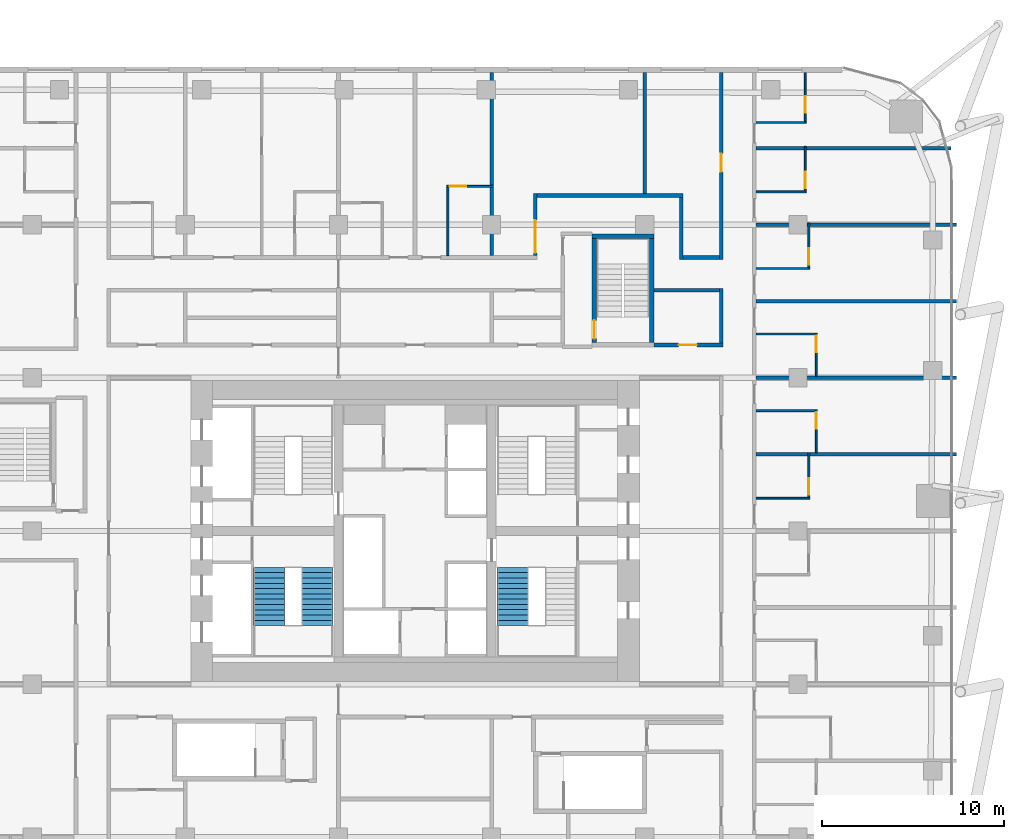
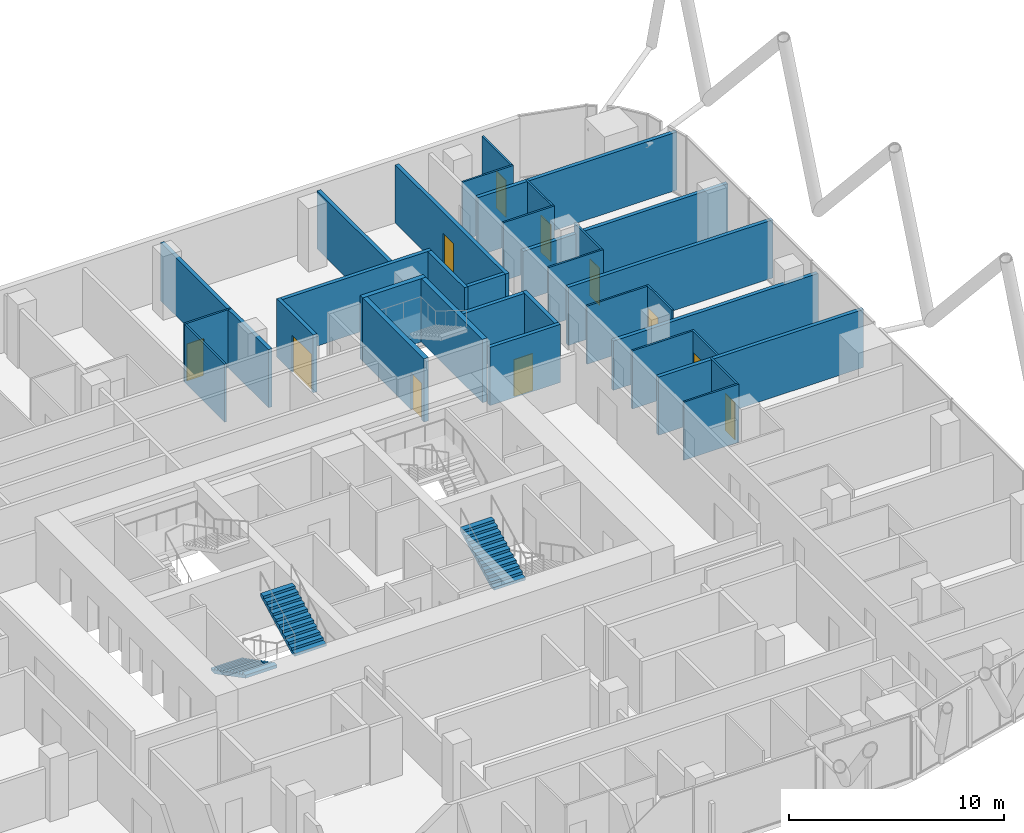
# One storey, part 34 of 36: 32 walls, 11 doors, 3 stair flights, 11 openings, 2 elements without a shape of their own.
"""IFC4 building model written with IfcOpenShell, lengths in metres."""

from ifc_helpers import new_model, si_unit, direction, frame, frame_2d, origin, place, context, subcontext, project, spatial, polyline, rectangle, outline, extrude, material, layer, layer_set, type_object, element, fill, aggregate, save


model = new_model("IFC4")

# Units and contexts
model_context = context("Model", 3, precision=1e-05, world=origin(), true_north=direction((0.0, 1.0)))
body_context = subcontext(model_context, "Body", "Model", "MODEL_VIEW")
ifc_project = project(units=[si_unit("LENGTHUNIT", "METRE"), si_unit("AREAUNIT", "SQUARE_METRE"), si_unit("VOLUMEUNIT", "CUBIC_METRE"), si_unit("PLANEANGLEUNIT", "RADIAN"), si_unit("MASSUNIT", "GRAM", prefix="KILO")], contexts=[model_context])

# Site, building, storey
site_placement = place(None, origin())
site = spatial("IfcSite", under=ifc_project, at=site_placement, CompositionType="ELEMENT")
building_placement = place(site_placement, origin())
building = spatial("IfcBuilding", under=site, at=building_placement, Name="Marenta Gate Hotel Tower", CompositionType="ELEMENT")
storey_placement = place(building_placement, frame((0.0, 0.0, 83.300048828125)))
storey = spatial("IfcBuildingStorey", under=building, at=storey_placement, Name="L19", CompositionType="ELEMENT", Elevation=83.300048828125)

# Wall
ifc_material_1 = material(Name="Concrete C40", Category="concrete")
ifc_layer_1 = layer(ifc_material_1, 0.25)
ifc_layer_set_1 = layer_set([ifc_layer_1], Name="Concrete C40")
wall_type_1 = type_object("IfcWallType", Name="Remote stair enclosure wall 250 REI 180", PredefinedType="SHEAR", material=ifc_layer_set_1)
wall_1_placement = place(storey_placement, frame((9.699951171875, 24.574951171875, 0.099853515625), z_axis=(0.0, 0.0, 1.0), x_axis=(1.0, 0.0, 0.0)))
element("IfcWall", 1, at=wall_1_placement, inside=storey, type_object=wall_type_1, Name="L19-RS-Z1-4-W2", PredefinedType="SHEAR", context=body_context, shape_type="SweptSolid", body=[
    extrude(rectangle(XDim=3.400146484375, YDim=0.25, at=frame_2d((1.7001953125, 0.0))), origin(), (0.0, 0.0, 1.0), 3.60009765625),
])

# Wall, opening, door
wall_2_placement = place(storey_placement, frame((9.824951171875, 18.75, 0.099853515625), z_axis=(0.0, 0.0, 1.0), x_axis=(0.0, 1.0, 0.0)))
wall_2 = element("IfcWall", 2, at=wall_2_placement, inside=storey, type_object=wall_type_1, Name="L19-RS-Z1-4-W3", PredefinedType="SHEAR", context=body_context, shape_type="SweptSolid", body=[
    extrude(rectangle(XDim=5.699951171875, YDim=0.25, at=frame_2d((2.85009765625, 0.0))), origin(), (0.0, 0.0, 1.0), 3.60009765625),
])
opening_1_placement = place(wall_2_placement, frame((0.199951171875, 0.0, 0.0)))
opening_1 = element("IfcOpeningElement", 3, at=opening_1_placement, cuts=wall_2, Name="Opening VD", PredefinedType="OPENING", context=body_context, shape_type="SweptSolid", body=[
    extrude(rectangle(XDim=1.0, YDim=2.10009765625, at=frame_2d((0.5, 1.050048828125))), frame((0.0, 0.125, 0.0), z_axis=(0.0, -1.0, 0.0), x_axis=(1.0, 0.0, 0.0)), (0.0, 0.0, 1.0), 0.25),
])
ifc_material_2 = material(Name="Steel", Category="steel")
door_type_1 = type_object("IfcDoorType", Name="Stair vestibule door 1000x2100 FD60", OperationType="SINGLE_SWING_LEFT", PredefinedType="DOOR", material=ifc_material_2)
door_1_placement = place(opening_1_placement, origin())
door_1 = element("IfcDoor", 4, at=door_1_placement, inside=storey, type_object=door_type_1, Name="VD", OperationType="SINGLE_SWING_LEFT", OverallHeight=2.10009765625, OverallWidth=1.0, PredefinedType="DOOR", context=body_context, shape_type="SweptSolid", body=[
    extrude(rectangle(XDim=1.0, YDim=2.10009765625, at=frame_2d((0.5, 1.050048828125))), frame((0.0, 0.02490234375, 0.0), z_axis=(0.0, -1.0, 0.0), x_axis=(1.0, 0.0, 0.0)), (0.0, 0.0, 1.0), 0.050048828125),
])
fill(opening_1, door_1)

# Walls
wall_3_placement = place(storey_placement, frame((12.97509765625, 18.75, 0.099853515625), z_axis=(0.0, 0.0, 1.0), x_axis=(0.0, 1.0, 0.0)))
element("IfcWall", 5, at=wall_3_placement, inside=storey, type_object=wall_type_1, Name="L19-RS-Z1-4-W4", PredefinedType="SHEAR", context=body_context, shape_type="SweptSolid", body=[
    extrude(rectangle(XDim=5.699951171875, YDim=0.25, at=frame_2d((2.85009765625, 0.0))), origin(), (0.0, 0.0, 1.0), 3.60009765625),
])
ifc_material_3 = material(Name="Concrete blockwork", Category="masonry")
ifc_layer_2 = layer(ifc_material_3, 0.199951171875)
ifc_layer_set_2 = layer_set([ifc_layer_2], Name="Concrete blockwork")
wall_type_2 = type_object("IfcWallType", Name="Room corridor wall 200 EI 120", PredefinedType="PARTITIONING", material=ifc_layer_set_2)
wall_4_placement = place(storey_placement, frame((16.800048828125, 18.699951171875, 0.0), z_axis=(0.0, 0.0, 1.0), x_axis=(0.0, 1.0, 0.0)))
element("IfcWall", 6, at=wall_4_placement, inside=storey, type_object=wall_type_2, Name="L19-PTN-W018", PredefinedType="PARTITIONING", context=body_context, shape_type="SweptSolid", body=[
    extrude(rectangle(XDim=3.0, YDim=0.199951171875, at=frame_2d((1.5, 0.0))), origin(), (0.0, 0.0, 1.0), 3.300048828125),
])

# Wall, opening, door
wall_5_placement = place(storey_placement, frame((13.10009765625, 18.60009765625, 0.0), z_axis=(0.0, 0.0, 1.0), x_axis=(1.0, 0.0, 0.0)))
wall_5 = element("IfcWall", 7, at=wall_5_placement, inside=storey, type_object=wall_type_2, Name="L19-PTN-W119", PredefinedType="PARTITIONING", context=body_context, shape_type="SweptSolid", body=[
    extrude(rectangle(XDim=3.7998046875, YDim=0.199951171875, at=frame_2d((1.89990234375, 0.0))), origin(), (0.0, 0.0, 1.0), 3.300048828125),
])
opening_2_placement = place(wall_5_placement, frame((1.35009765625, 0.0, 0.0)))
opening_2 = element("IfcOpeningElement", 8, at=opening_2_placement, cuts=wall_5, Name="Opening G07-03", PredefinedType="OPENING", context=body_context, shape_type="SweptSolid", body=[
    extrude(rectangle(XDim=1.0, YDim=2.10009765625, at=frame_2d((0.5, 1.050048828125))), frame((0.0, 0.10009765625, 0.0), z_axis=(0.0, -1.0, 0.0), x_axis=(1.0, 0.0, 0.0)), (0.0, 0.0, 1.0), 0.199951171875),
])
ifc_material_4 = material(Name="Hollow steel door set", Category="steel")
door_type_2 = type_object("IfcDoorType", Name="Room service door 1000x2100 EI 60", OperationType="NOTDEFINED", PredefinedType="DOOR", material=ifc_material_4)
door_2_placement = place(opening_2_placement, origin())
door_2 = element("IfcDoor", 9, at=door_2_placement, inside=storey, type_object=door_type_2, Name="L19-PD-D003", OperationType="SINGLE_SWING_RIGHT", OverallHeight=2.10009765625, OverallWidth=1.0, PredefinedType="DOOR", context=body_context, shape_type="SweptSolid", body=[
    extrude(rectangle(XDim=1.0, YDim=2.10009765625, at=frame_2d((0.5, 1.050048828125))), frame((0.0, 0.02490234375, 0.0), z_axis=(0.0, -1.0, 0.0), x_axis=(1.0, 0.0, 0.0)), (0.0, 0.0, 1.0), 0.050048828125),
])
fill(opening_2, door_2)

# Wall
wall_6_placement = place(storey_placement, frame((13.10009765625, 21.60009765625, 0.0), z_axis=(0.0, 0.0, 1.0), x_axis=(1.0, 0.0, 0.0)))
element("IfcWall", 10, at=wall_6_placement, inside=storey, type_object=wall_type_2, Name="L19-PTN-W127", PredefinedType="PARTITIONING", context=body_context, shape_type="SweptSolid", body=[
    extrude(rectangle(XDim=3.599853515625, YDim=0.199951171875, at=frame_2d((1.7998046875, 0.0))), origin(), (0.0, 0.0, 1.0), 3.300048828125),
])

# Wall, opening, door
ifc_material_5 = material(Name="Gypsum board on steel stud", Category="steel")
ifc_layer_3 = layer(ifc_material_5, 0.199951171875)
ifc_layer_set_3 = layer_set([ifc_layer_3], Name="Gypsum board on steel stud")
wall_type_3 = type_object("IfcWallType", Name="Room corridor wall 200 EI 60", PredefinedType="PARTITIONING", material=ifc_layer_set_3)
wall_7_placement = place(storey_placement, frame((16.800048828125, 23.300048828125, 0.0), z_axis=(0.0, 0.0, 1.0), x_axis=(0.0, 1.0, 0.0)))
wall_7 = element("IfcWall", 11, at=wall_7_placement, inside=storey, type_object=wall_type_3, Name="L19-PTN-W019", PredefinedType="PARTITIONING", context=body_context, shape_type="SweptSolid", body=[
    extrude(rectangle(XDim=10.239990234375, YDim=0.199951171875, at=frame_2d((5.1201171875, 0.0))), origin(), (0.0, 0.0, 1.0), 3.300048828125),
])
opening_3_placement = place(wall_7_placement, frame((4.800048828125, 0.0, 0.0)))
opening_3 = element("IfcOpeningElement", 12, at=opening_3_placement, cuts=wall_7, Name="Opening G07-69", PredefinedType="OPENING", context=body_context, shape_type="SweptSolid", body=[
    extrude(rectangle(XDim=1.0, YDim=2.10009765625, at=frame_2d((0.5, 1.050048828125))), frame((0.0, 0.10009765625, 0.0), z_axis=(0.0, -1.0, 0.0), x_axis=(1.0, 0.0, 0.0)), (0.0, 0.0, 1.0), 0.199951171875),
])
ifc_material_6 = material(Name="Timber door leaf", Category="wood")
door_type_3 = type_object("IfcDoorType", Name="Room amenity door 1000x2100 EI 30", OperationType="NOTDEFINED", PredefinedType="DOOR", material=ifc_material_6)
door_3_placement = place(opening_3_placement, origin())
door_3 = element("IfcDoor", 13, at=door_3_placement, inside=storey, type_object=door_type_3, Name="L19-PD-D069", OperationType="SINGLE_SWING_LEFT", OverallHeight=2.10009765625, OverallWidth=1.0, PredefinedType="DOOR", context=body_context, shape_type="SweptSolid", body=[
    extrude(rectangle(XDim=1.0, YDim=2.10009765625, at=frame_2d((0.5, 1.050048828125))), frame((0.0, 0.02490234375, 0.0), z_axis=(0.0, -1.0, 0.0), x_axis=(1.0, 0.0, 0.0)), (0.0, 0.0, 1.0), 0.050048828125),
])
fill(opening_3, door_3)

# Wall
wall_8_placement = place(storey_placement, frame((14.60009765625, 23.300048828125, 0.0), z_axis=(0.0, 0.0, 1.0), x_axis=(0.0, 1.0, 0.0)))
element("IfcWall", 14, at=wall_8_placement, inside=storey, type_object=wall_type_3, Name="L19-PTN-W031", PredefinedType="PARTITIONING", context=body_context, shape_type="SweptSolid", body=[
    extrude(rectangle(XDim=3.39990234375, YDim=0.199951171875, at=frame_2d((1.699951171875, 0.0))), origin(), (0.0, 0.0, 1.0), 3.300048828125),
])

# Wall, opening, door
wall_9_placement = place(storey_placement, frame((6.60009765625, 23.5, 0.0), z_axis=(0.0, 0.0, 1.0), x_axis=(0.0, 1.0, 0.0)))
wall_9 = element("IfcWall", 15, at=wall_9_placement, inside=storey, type_object=wall_type_3, Name="L19-PTN-W051", PredefinedType="PARTITIONING", context=body_context, shape_type="SweptSolid", body=[
    extrude(rectangle(XDim=3.39990234375, YDim=0.199951171875, at=frame_2d((1.699951171875, 0.0))), origin(), (0.0, 0.0, 1.0), 3.300048828125),
])
opening_4_placement = place(wall_9_placement, frame((0.14990234375, 0.0, 0.0)))
opening_4 = element("IfcOpeningElement", 16, at=opening_4_placement, cuts=wall_9, Name="Opening G07-40", PredefinedType="OPENING", context=body_context, shape_type="SweptSolid", body=[
    extrude(rectangle(XDim=1.800048828125, YDim=2.10009765625, at=frame_2d((0.89990234375, 1.050048828125))), frame((0.0, 0.10009765625, 0.0), z_axis=(0.0, -1.0, 0.0), x_axis=(1.0, 0.0, 0.0)), (0.0, 0.0, 1.0), 0.199951171875),
])
ifc_material_7 = material(Name="Timber door leaf", Category="wood")
door_type_4 = type_object("IfcDoorType", Name="Room amenity door 1800x2100 EI 30", OperationType="DOUBLE_DOOR_SINGLE_SWING", PredefinedType="DOOR", material=ifc_material_7)
door_4_placement = place(opening_4_placement, origin())
door_4 = element("IfcDoor", 17, at=door_4_placement, inside=storey, type_object=door_type_4, Name="L19-PD-D040", OperationType="DOUBLE_DOOR_SINGLE_SWING", OverallHeight=2.10009765625, OverallWidth=1.800048828125, PredefinedType="DOOR", context=body_context, shape_type="SweptSolid", body=[
    extrude(rectangle(XDim=1.800048828125, YDim=2.10009765625, at=frame_2d((0.89990234375, 1.050048828125))), frame((0.0, 0.02490234375, 0.0), z_axis=(0.0, -1.0, 0.0), x_axis=(1.0, 0.0, 0.0)), (0.0, 0.0, 1.0), 0.050048828125),
])
fill(opening_4, door_4)

# Walls
wall_10_placement = place(storey_placement, frame((14.699951171875, 23.39990234375, 0.0), z_axis=(0.0, 0.0, 1.0), x_axis=(1.0, 0.0, 0.0)))
element("IfcWall", 18, at=wall_10_placement, inside=storey, type_object=wall_type_3, Name="L19-PTN-W132", PredefinedType="PARTITIONING", context=body_context, shape_type="SweptSolid", body=[
    extrude(rectangle(XDim=2.0, YDim=0.199951171875, at=frame_2d((1.0, 0.0))), origin(), (0.0, 0.0, 1.0), 3.300048828125),
])
wall_11_placement = place(storey_placement, frame((6.699951171875, 26.800048828125, 0.0), z_axis=(0.0, 0.0, 1.0), x_axis=(1.0, 0.0, 0.0)))
element("IfcWall", 19, at=wall_11_placement, inside=storey, type_object=wall_type_3, Name="L19-PTN-W139", PredefinedType="PARTITIONING", context=body_context, shape_type="SweptSolid", body=[
    extrude(rectangle(XDim=8.0, YDim=0.199951171875, at=frame_2d((4.0, 0.0))), origin(), (0.0, 0.0, 1.0), 3.300048828125),
])

# Wall, opening, door
ifc_material_8 = material(Name="Gypsum board on steel stud", Category="steel")
ifc_layer_4 = layer(ifc_material_8, 0.10009765625)
ifc_layer_set_4 = layer_set([ifc_layer_4], Name="Gypsum board on steel stud")
wall_type_4 = type_object("IfcWallType", Name="Room partition 100", PredefinedType="PARTITIONING", material=ifc_layer_set_4)
wall_12_placement = place(storey_placement, frame((22.0, 12.699951171875, 0.0), z_axis=(0.0, 0.0, 1.0), x_axis=(0.0, 1.0, 0.0)))
wall_12 = element("IfcWall", 20, at=wall_12_placement, inside=storey, type_object=wall_type_4, Name="L19-PTN-W004", PredefinedType="PARTITIONING", context=body_context, shape_type="SweptSolid", body=[
    extrude(rectangle(XDim=2.35009765625, YDim=0.10009765625, at=frame_2d((1.175048828125, 0.0))), origin(), (0.0, 0.0, 1.0), 3.300048828125),
])
opening_5_placement = place(wall_12_placement, frame((1.300048828125, 0.0, 0.0)))
opening_5 = element("IfcOpeningElement", 21, at=opening_5_placement, cuts=wall_12, Name="Opening G07-22", PredefinedType="OPENING", context=body_context, shape_type="SweptSolid", body=[
    extrude(rectangle(XDim=0.89990234375, YDim=2.10009765625, at=frame_2d((0.449951171875, 1.050048828125))), frame((0.0, 0.050048828125, 0.0), z_axis=(0.0, -1.0, 0.0), x_axis=(1.0, 0.0, 0.0)), (0.0, 0.0, 1.0), 0.10009765625),
])
ifc_material_9 = material(Name="Timber door leaf", Category="wood")
door_type_5 = type_object("IfcDoorType", Name="Guest bathroom door 900x2100", OperationType="NOTDEFINED", PredefinedType="DOOR", material=ifc_material_9)
door_5_placement = place(opening_5_placement, origin())
door_5 = element("IfcDoor", 22, at=door_5_placement, inside=storey, type_object=door_type_5, Name="L19-PD-D022", OperationType="SINGLE_SWING_RIGHT", OverallHeight=2.10009765625, OverallWidth=0.89990234375, PredefinedType="DOOR", context=body_context, shape_type="SweptSolid", body=[
    extrude(rectangle(XDim=0.89990234375, YDim=2.10009765625, at=frame_2d((0.449951171875, 1.050048828125))), frame((0.0, 0.02490234375, 0.0), z_axis=(0.0, -1.0, 0.0), x_axis=(1.0, 0.0, 0.0)), (0.0, 0.0, 1.0), 0.050048828125),
])
fill(opening_5, door_5)

wall_13_placement = place(storey_placement, frame((22.0, 16.89990234375, 0.0), z_axis=(0.0, 0.0, 1.0), x_axis=(0.0, 1.0, 0.0)))
wall_13 = element("IfcWall", 23, at=wall_13_placement, inside=storey, type_object=wall_type_4, Name="L19-PTN-W005", PredefinedType="PARTITIONING", context=body_context, shape_type="SweptSolid", body=[
    extrude(rectangle(XDim=2.35009765625, YDim=0.10009765625, at=frame_2d((1.175048828125, 0.0))), origin(), (0.0, 0.0, 1.0), 3.300048828125),
])
opening_6_placement = place(wall_13_placement, frame((1.300048828125, 0.0, 0.0)))
opening_6 = element("IfcOpeningElement", 24, at=opening_6_placement, cuts=wall_13, Name="Opening G07-24", PredefinedType="OPENING", context=body_context, shape_type="SweptSolid", body=[
    extrude(rectangle(XDim=0.89990234375, YDim=2.10009765625, at=frame_2d((0.449951171875, 1.050048828125))), frame((0.0, 0.050048828125, 0.0), z_axis=(0.0, -1.0, 0.0), x_axis=(1.0, 0.0, 0.0)), (0.0, 0.0, 1.0), 0.10009765625),
])
door_6_placement = place(opening_6_placement, origin())
door_6 = element("IfcDoor", 25, at=door_6_placement, inside=storey, type_object=door_type_5, Name="L19-PD-D024", OperationType="SINGLE_SWING_RIGHT", OverallHeight=2.10009765625, OverallWidth=0.89990234375, PredefinedType="DOOR", context=body_context, shape_type="SweptSolid", body=[
    extrude(rectangle(XDim=0.89990234375, YDim=2.10009765625, at=frame_2d((0.449951171875, 1.050048828125))), frame((0.0, 0.02490234375, 0.0), z_axis=(0.0, -1.0, 0.0), x_axis=(1.0, 0.0, 0.0)), (0.0, 0.0, 1.0), 0.050048828125),
])
fill(opening_6, door_6)

wall_14_placement = place(storey_placement, frame((21.60009765625, 10.25, 0.0), z_axis=(0.0, 0.0, 1.0), x_axis=(0.0, 1.0, 0.0)))
wall_14 = element("IfcWall", 26, at=wall_14_placement, inside=storey, type_object=wall_type_4, Name="L19-PTN-W008", PredefinedType="PARTITIONING", context=body_context, shape_type="SweptSolid", body=[
    extrude(rectangle(XDim=2.449951171875, YDim=0.10009765625, at=frame_2d((1.22509765625, 0.0))), origin(), (0.0, 0.0, 1.0), 3.300048828125),
])
opening_7_placement = place(wall_14_placement, frame((0.14990234375, 0.0, 0.0)))
opening_7 = element("IfcOpeningElement", 27, at=opening_7_placement, cuts=wall_14, Name="Opening G07-20", PredefinedType="OPENING", context=body_context, shape_type="SweptSolid", body=[
    extrude(rectangle(XDim=0.89990234375, YDim=2.10009765625, at=frame_2d((0.449951171875, 1.050048828125))), frame((0.0, 0.050048828125, 0.0), z_axis=(0.0, -1.0, 0.0), x_axis=(1.0, 0.0, 0.0)), (0.0, 0.0, 1.0), 0.10009765625),
])
door_7_placement = place(opening_7_placement, origin())
door_7 = element("IfcDoor", 28, at=door_7_placement, inside=storey, type_object=door_type_5, Name="L19-PD-D020", OperationType="SINGLE_SWING_LEFT", OverallHeight=2.10009765625, OverallWidth=0.89990234375, PredefinedType="DOOR", context=body_context, shape_type="SweptSolid", body=[
    extrude(rectangle(XDim=0.89990234375, YDim=2.10009765625, at=frame_2d((0.449951171875, 1.050048828125))), frame((0.0, 0.02490234375, 0.0), z_axis=(0.0, -1.0, 0.0), x_axis=(1.0, 0.0, 0.0)), (0.0, 0.0, 1.0), 0.050048828125),
])
fill(opening_7, door_7)

wall_15_placement = place(storey_placement, frame((21.60009765625, 22.85009765625, 0.0), z_axis=(0.0, 0.0, 1.0), x_axis=(0.0, 1.0, 0.0)))
wall_15 = element("IfcWall", 29, at=wall_15_placement, inside=storey, type_object=wall_type_4, Name="L19-PTN-W009", PredefinedType="PARTITIONING", context=body_context, shape_type="SweptSolid", body=[
    extrude(rectangle(XDim=2.449951171875, YDim=0.10009765625, at=frame_2d((1.22509765625, 0.0))), origin(), (0.0, 0.0, 1.0), 3.300048828125),
])
opening_8_placement = place(wall_15_placement, frame((0.14990234375, 0.0, 0.0)))
opening_8 = element("IfcOpeningElement", 30, at=opening_8_placement, cuts=wall_15, Name="Opening G07-26", PredefinedType="OPENING", context=body_context, shape_type="SweptSolid", body=[
    extrude(rectangle(XDim=0.89990234375, YDim=2.10009765625, at=frame_2d((0.449951171875, 1.050048828125))), frame((0.0, 0.050048828125, 0.0), z_axis=(0.0, -1.0, 0.0), x_axis=(1.0, 0.0, 0.0)), (0.0, 0.0, 1.0), 0.10009765625),
])
door_8_placement = place(opening_8_placement, origin())
door_8 = element("IfcDoor", 31, at=door_8_placement, inside=storey, type_object=door_type_5, Name="L19-PD-D026", OperationType="SINGLE_SWING_LEFT", OverallHeight=2.10009765625, OverallWidth=0.89990234375, PredefinedType="DOOR", context=body_context, shape_type="SweptSolid", body=[
    extrude(rectangle(XDim=0.89990234375, YDim=2.10009765625, at=frame_2d((0.449951171875, 1.050048828125))), frame((0.0, 0.02490234375, 0.0), z_axis=(0.0, -1.0, 0.0), x_axis=(1.0, 0.0, 0.0)), (0.0, 0.0, 1.0), 0.050048828125),
])
fill(opening_8, door_8)

wall_16_placement = place(storey_placement, frame((21.39990234375, 27.050048828125, 0.0), z_axis=(0.0, 0.0, 1.0), x_axis=(0.0, 1.0, 0.0)))
wall_16 = element("IfcWall", 32, at=wall_16_placement, inside=storey, type_object=wall_type_4, Name="L19-PTN-W011", PredefinedType="PARTITIONING", context=body_context, shape_type="SweptSolid", body=[
    extrude(rectangle(XDim=2.449951171875, YDim=0.10009765625, at=frame_2d((1.22509765625, 0.0))), origin(), (0.0, 0.0, 1.0), 3.300048828125),
])
opening_9_placement = place(wall_16_placement, frame((0.14990234375, 0.0, 0.0)))
opening_9 = element("IfcOpeningElement", 33, at=opening_9_placement, cuts=wall_16, Name="Opening G07-28", PredefinedType="OPENING", context=body_context, shape_type="SweptSolid", body=[
    extrude(rectangle(XDim=0.89990234375, YDim=2.10009765625, at=frame_2d((0.449951171875, 1.050048828125))), frame((0.0, 0.050048828125, 0.0), z_axis=(0.0, -1.0, 0.0), x_axis=(1.0, 0.0, 0.0)), (0.0, 0.0, 1.0), 0.10009765625),
])
door_9_placement = place(opening_9_placement, origin())
door_9 = element("IfcDoor", 34, at=door_9_placement, inside=storey, type_object=door_type_5, Name="L19-PD-D028", OperationType="SINGLE_SWING_LEFT", OverallHeight=2.10009765625, OverallWidth=0.89990234375, PredefinedType="DOOR", context=body_context, shape_type="SweptSolid", body=[
    extrude(rectangle(XDim=0.89990234375, YDim=2.10009765625, at=frame_2d((0.449951171875, 1.050048828125))), frame((0.0, 0.02490234375, 0.0), z_axis=(0.0, -1.0, 0.0), x_axis=(1.0, 0.0, 0.0)), (0.0, 0.0, 1.0), 0.050048828125),
])
fill(opening_9, door_9)

wall_17_placement = place(storey_placement, frame((21.39990234375, 30.85009765625, 0.0), z_axis=(0.0, 0.0, 1.0), x_axis=(0.0, 1.0, 0.0)))
wall_17 = element("IfcWall", 35, at=wall_17_placement, inside=storey, type_object=wall_type_4, Name="L19-PTN-W012", PredefinedType="PARTITIONING", context=body_context, shape_type="SweptSolid", body=[
    extrude(rectangle(XDim=2.68994140625, YDim=0.10009765625, at=frame_2d((1.344970703125, 0.0))), origin(), (0.0, 0.0, 1.0), 3.300048828125),
])
opening_10_placement = place(wall_17_placement, frame((0.5, 0.0, 0.0)))
opening_10 = element("IfcOpeningElement", 36, at=opening_10_placement, cuts=wall_17, Name="Opening G07-30", PredefinedType="OPENING", context=body_context, shape_type="SweptSolid", body=[
    extrude(rectangle(XDim=0.89990234375, YDim=2.10009765625, at=frame_2d((0.449951171875, 1.050048828125))), frame((0.0, 0.050048828125, 0.0), z_axis=(0.0, -1.0, 0.0), x_axis=(1.0, 0.0, 0.0)), (0.0, 0.0, 1.0), 0.10009765625),
])
door_10_placement = place(opening_10_placement, origin())
door_10 = element("IfcDoor", 37, at=door_10_placement, inside=storey, type_object=door_type_5, Name="L19-PD-D030", OperationType="SINGLE_SWING_LEFT", OverallHeight=2.10009765625, OverallWidth=0.89990234375, PredefinedType="DOOR", context=body_context, shape_type="SweptSolid", body=[
    extrude(rectangle(XDim=0.89990234375, YDim=2.10009765625, at=frame_2d((0.449951171875, 1.050048828125))), frame((0.0, 0.02490234375, 0.0), z_axis=(0.0, -1.0, 0.0), x_axis=(1.0, 0.0, 0.0)), (0.0, 0.0, 1.0), 0.050048828125),
])
fill(opening_10, door_10)

# Walls
wall_18_placement = place(storey_placement, frame((1.800048828125, 23.5, 0.0), z_axis=(0.0, 0.0, 1.0), x_axis=(0.0, 1.0, 0.0)))
element("IfcWall", 38, at=wall_18_placement, inside=storey, type_object=wall_type_4, Name="L19-PTN-W066", PredefinedType="PARTITIONING", context=body_context, shape_type="SweptSolid", body=[
    extrude(rectangle(XDim=3.75, YDim=0.10009765625, at=frame_2d((1.875, 0.0))), origin(), (0.0, 0.0, 1.0), 3.300048828125),
])
wall_19_placement = place(storey_placement, frame((18.699951171875, 10.199951171875, 0.0), z_axis=(0.0, 0.0, 1.0), x_axis=(1.0, 0.0, 0.0)))
element("IfcWall", 39, at=wall_19_placement, inside=storey, type_object=wall_type_4, Name="L19-PTN-W093", PredefinedType="PARTITIONING", context=body_context, shape_type="SweptSolid", body=[
    extrude(rectangle(XDim=2.949951171875, YDim=0.10009765625, at=frame_2d((1.47509765625, 0.0))), origin(), (0.0, 0.0, 1.0), 3.300048828125),
])
for number, where, z_axis, x_axis, name in (
    (40, (18.699951171875, 15.0, 0.0), (0.0, 0.0, 1.0), (1.0, 0.0, 0.0), "L19-PTN-W103"),
    (41, (18.699951171875, 19.199951171875, 0.0), (0.0, 0.0, 1.0), (1.0, 0.0, 0.0), "L19-PTN-W120"),
):
    element("IfcWall", number, at=place(storey_placement, frame(where, z_axis=z_axis, x_axis=x_axis)), inside=storey, type_object=wall_type_4, Name=name, PredefinedType="PARTITIONING", context=body_context, shape_type="SweptSolid", body=[
        extrude(rectangle(XDim=3.25, YDim=0.10009765625, at=frame_2d((1.625, 0.0))), origin(), (0.0, 0.0, 1.0), 3.300048828125),
    ])
wall_20_placement = place(storey_placement, frame((18.699951171875, 22.800048828125, 0.0), z_axis=(0.0, 0.0, 1.0), x_axis=(1.0, 0.0, 0.0)))
element("IfcWall", 42, at=wall_20_placement, inside=storey, type_object=wall_type_4, Name="L19-PTN-W129", PredefinedType="PARTITIONING", context=body_context, shape_type="SweptSolid", body=[
    extrude(rectangle(XDim=2.949951171875, YDim=0.10009765625, at=frame_2d((1.47509765625, 0.0))), origin(), (0.0, 0.0, 1.0), 3.300048828125),
])
wall_21_placement = place(storey_placement, frame((18.699951171875, 27.0, 0.0), z_axis=(0.0, 0.0, 1.0), x_axis=(1.0, 0.0, 0.0)))
element("IfcWall", 43, at=wall_21_placement, inside=storey, type_object=wall_type_4, Name="L19-PTN-W142", PredefinedType="PARTITIONING", context=body_context, shape_type="SweptSolid", body=[
    extrude(rectangle(XDim=2.75, YDim=0.10009765625, at=frame_2d((1.375, 0.0))), origin(), (0.0, 0.0, 1.0), 3.300048828125),
])

# Wall, opening, door
wall_22_placement = place(storey_placement, frame((1.75, 27.300048828125, 0.0), z_axis=(0.0, 0.0, 1.0), x_axis=(1.0, 0.0, 0.0)))
wall_22 = element("IfcWall", 44, at=wall_22_placement, inside=storey, type_object=wall_type_4, Name="L19-PTN-W143", PredefinedType="PARTITIONING", context=body_context, shape_type="SweptSolid", body=[
    extrude(rectangle(XDim=2.550048828125, YDim=0.10009765625, at=frame_2d((1.27490234375, 0.0))), origin(), (0.0, 0.0, 1.0), 3.300048828125),
])
opening_11_placement = place(wall_22_placement, frame((0.14990234375, 0.0, 0.0)))
opening_11 = element("IfcOpeningElement", 45, at=opening_11_placement, cuts=wall_22, Name="Opening G07-39", PredefinedType="OPENING", context=body_context, shape_type="SweptSolid", body=[
    extrude(rectangle(XDim=0.89990234375, YDim=2.10009765625, at=frame_2d((0.449951171875, 1.050048828125))), frame((0.0, 0.050048828125, 0.0), z_axis=(0.0, -1.0, 0.0), x_axis=(1.0, 0.0, 0.0)), (0.0, 0.0, 1.0), 0.10009765625),
])
door_11_placement = place(opening_11_placement, origin())
door_11 = element("IfcDoor", 46, at=door_11_placement, inside=storey, type_object=door_type_5, Name="L19-PD-D039", OperationType="SINGLE_SWING_RIGHT", OverallHeight=2.10009765625, OverallWidth=0.89990234375, PredefinedType="DOOR", context=body_context, shape_type="SweptSolid", body=[
    extrude(rectangle(XDim=0.89990234375, YDim=2.10009765625, at=frame_2d((0.449951171875, 1.050048828125))), frame((0.0, 0.02490234375, 0.0), z_axis=(0.0, -1.0, 0.0), x_axis=(1.0, 0.0, 0.0)), (0.0, 0.0, 1.0), 0.050048828125),
])
fill(opening_11, door_11)

# Walls
wall_23_placement = place(storey_placement, frame((18.699951171875, 30.800048828125, 0.0), z_axis=(0.0, 0.0, 1.0), x_axis=(1.0, 0.0, 0.0)))
element("IfcWall", 47, at=wall_23_placement, inside=storey, type_object=wall_type_4, Name="L19-PTN-W149", PredefinedType="PARTITIONING", context=body_context, shape_type="SweptSolid", body=[
    extrude(rectangle(XDim=2.75, YDim=0.10009765625, at=frame_2d((1.375, 0.0))), origin(), (0.0, 0.0, 1.0), 3.300048828125),
])
ifc_material_10 = material(Name="Gypsum board on steel stud", Category="steel")
ifc_layer_5 = layer(ifc_material_10, 0.199951171875)
ifc_layer_set_5 = layer_set([ifc_layer_5], Name="Gypsum board on steel stud")
wall_type_5 = type_object("IfcWallType", Name="Room party wall 200 EI 60", PredefinedType="PARTITIONING", material=ifc_layer_set_5)
wall_24_placement = place(storey_placement, frame((12.60009765625, 26.89990234375, 0.0), z_axis=(0.0, 0.0, 1.0), x_axis=(0.0, 1.0, 0.0)))
element("IfcWall", 48, at=wall_24_placement, inside=storey, type_object=wall_type_5, Name="L19-PTN-W036", PredefinedType="PARTITIONING", context=body_context, shape_type="SweptSolid", body=[
    extrude(rectangle(XDim=6.64013671875, YDim=0.199951171875, at=frame_2d((3.320068359375, 0.0))), origin(), (0.0, 0.0, 1.0), 3.300048828125),
])
wall_25_placement = place(storey_placement, frame((4.199951171875, 23.5, 0.0), z_axis=(0.0, 0.0, 1.0), x_axis=(0.0, 1.0, 0.0)))
element("IfcWall", 49, at=wall_25_placement, inside=storey, type_object=wall_type_5, Name="L19-PTN-W060", PredefinedType="PARTITIONING", context=body_context, shape_type="SweptSolid", body=[
    extrude(rectangle(XDim=10.0400390625, YDim=0.199951171875, at=frame_2d((5.02001953125, 0.0))), origin(), (0.0, 0.0, 1.0), 3.300048828125),
])
wall_26_placement = place(storey_placement, frame((18.699951171875, 12.60009765625, 0.0), z_axis=(0.0, 0.0, 1.0), x_axis=(1.0, 0.0, 0.0)))
element("IfcWall", 50, at=wall_26_placement, inside=storey, type_object=wall_type_5, Name="L19-PTN-W100", PredefinedType="PARTITIONING", context=body_context, shape_type="SweptSolid", body=[
    extrude(rectangle(XDim=11.0, YDim=0.199951171875, at=frame_2d((5.5, 0.0))), origin(), (0.0, 0.0, 1.0), 3.300048828125),
])
wall_27_placement = place(storey_placement, frame((18.699951171875, 16.800048828125, 0.0), z_axis=(0.0, 0.0, 1.0), x_axis=(1.0, 0.0, 0.0)))
element("IfcWall", 51, at=wall_27_placement, inside=storey, type_object=wall_type_5, Name="L19-PTN-W112", PredefinedType="PARTITIONING", context=body_context, shape_type="SweptSolid", body=[
    extrude(rectangle(XDim=11.0, YDim=0.199951171875, at=frame_2d((5.5, 0.0))), origin(), (0.0, 0.0, 1.0), 2.800048828125),
])
wall_28_placement = place(storey_placement, frame((18.699951171875, 21.0, 0.0), z_axis=(0.0, 0.0, 1.0), x_axis=(1.0, 0.0, 0.0)))
element("IfcWall", 52, at=wall_28_placement, inside=storey, type_object=wall_type_5, Name="L19-PTN-W123", PredefinedType="PARTITIONING", context=body_context, shape_type="SweptSolid", body=[
    extrude(rectangle(XDim=11.0, YDim=0.199951171875, at=frame_2d((5.5, 0.0))), origin(), (0.0, 0.0, 1.0), 3.300048828125),
])
wall_29_placement = place(storey_placement, frame((18.699951171875, 25.199951171875, 0.0), z_axis=(0.0, 0.0, 1.0), x_axis=(1.0, 0.0, 0.0)))
element("IfcWall", 53, at=wall_29_placement, inside=storey, type_object=wall_type_5, Name="L19-PTN-W136", PredefinedType="PARTITIONING", context=body_context, shape_type="SweptSolid", body=[
    extrude(rectangle(XDim=11.0, YDim=0.199951171875, at=frame_2d((5.5, 0.0))), origin(), (0.0, 0.0, 1.0), 2.800048828125),
])
wall_30_placement = place(storey_placement, frame((18.699951171875, 29.39990234375, 0.0), z_axis=(0.0, 0.0, 1.0), x_axis=(1.0, 0.0, 0.0)))
element("IfcWall", 54, at=wall_30_placement, inside=storey, type_object=wall_type_5, Name="L19-PTN-W147", PredefinedType="PARTITIONING", context=body_context, shape_type="SweptSolid", body=[
    extrude(rectangle(XDim=10.693115234375, YDim=0.199951171875, at=frame_2d((5.3466796875, 0.0))), origin(), (0.0, 0.0, 1.0), 3.300048828125),
])

# Stair, stair flights
ifc_material_11 = material(Name="Concrete C40", Category="concrete")
stair_type = type_object("IfcStairType", Name="Core exit stair 1700 wide", PredefinedType="HALF_TURN_STAIR", material=ifc_material_11)
stair_1_placement = place(storey_placement, origin())
stair_1 = element("IfcStair", 55, at=stair_1_placement, inside=storey, type_object=stair_type, Name="Exit stair 1", PredefinedType="HALF_TURN_STAIR")
ifc_material_12 = material(Name="Concrete C40", Category="concrete")
stair_flight_type = type_object("IfcStairFlightType", Name="Core stair flight 1700 riser 150.0 going 290", PredefinedType="STRAIGHT", material=ifc_material_12)
stair_flight_1_placement = place(storey_placement, frame((-8.0, 6.39990234375, 0.0), z_axis=(0.0, 0.0, 1.0), x_axis=(0.0, -1.0, 0.0)))
stair_flight_1 = element("IfcStairFlight", 56, at=stair_flight_1_placement, type_object=stair_flight_type, Name="ST1 flight 1", NumberOfRisers=12, NumberOfTreads=11, PredefinedType="STRAIGHT", RiserHeight=0.15, TreadLength=0.29, context=body_context, shape_type="SweptSolid", body=[
    extrude(outline(polyline([(0.0, 0.0), (0.0, 0.14990234375), (0.2900390625, 0.14990234375), (0.2900390625, 0.300048828125), (0.580078125, 0.300048828125), (0.580078125, 0.449951171875), (0.8701171875, 0.449951171875), (0.8701171875, 0.60009765625), (1.159912109375, 0.60009765625), (1.159912109375, 0.75), (1.449951171875, 0.75), (1.449951171875, 0.89990234375), (1.739990234375, 0.89990234375), (1.739990234375, 1.050048828125), (2.030029296875, 1.050048828125), (2.030029296875, 1.199951171875), (2.320068359375, 1.199951171875), (2.320068359375, 1.35009765625), (2.610107421875, 1.35009765625), (2.610107421875, 1.5), (2.89990234375, 1.5), (2.89990234375, 1.64990234375), (3.18994140625, 1.64990234375), (3.18994140625, 1.800048828125), (3.18994140625, 1.481201171875), (0.326171875, 0.0), (0.0, 0.0)])), frame((0.0, 0.85009765625, 0.0), z_axis=(0.0, -1.0, 0.0), x_axis=(1.0, 0.0, 0.0)), (0.0, 0.0, 1.0), 1.699951171875),
])
stair_flight_2_placement = place(storey_placement, frame((-5.35009765625, 3.2099609375, 1.800048828125), z_axis=(0.0, 0.0, 1.0), x_axis=(0.0, 1.0, 0.0)))
stair_flight_2 = element("IfcStairFlight", 57, at=stair_flight_2_placement, type_object=stair_flight_type, Name="ST1 flight 2", NumberOfRisers=12, NumberOfTreads=11, PredefinedType="STRAIGHT", RiserHeight=0.15, TreadLength=0.29, context=body_context, shape_type="SweptSolid", body=[
    extrude(outline(polyline([(0.0, 0.0), (0.0, 0.14990234375), (0.2900390625, 0.14990234375), (0.2900390625, 0.300048828125), (0.580078125, 0.300048828125), (0.580078125, 0.449951171875), (0.8701171875, 0.449951171875), (0.8701171875, 0.60009765625), (1.159912109375, 0.60009765625), (1.159912109375, 0.75), (1.449951171875, 0.75), (1.449951171875, 0.89990234375), (1.739990234375, 0.89990234375), (1.739990234375, 1.050048828125), (2.030029296875, 1.050048828125), (2.030029296875, 1.199951171875), (2.320068359375, 1.199951171875), (2.320068359375, 1.35009765625), (2.610107421875, 1.35009765625), (2.610107421875, 1.5), (2.89990234375, 1.5), (2.89990234375, 1.64990234375), (3.18994140625, 1.64990234375), (3.18994140625, 1.800048828125), (3.18994140625, 1.481201171875), (0.326171875, 0.0), (0.0, 0.0)])), frame((0.0, 0.85009765625, 0.0), z_axis=(0.0, -1.0, 0.0), x_axis=(1.0, 0.0, 0.0)), (0.0, 0.0, 1.0), 1.699951171875),
])
aggregate(stair_1, [stair_flight_1, stair_flight_2])

# Stair, stair flight
stair_2_placement = place(storey_placement, origin())
stair_2 = element("IfcStair", 58, at=stair_2_placement, inside=storey, type_object=stair_type, Name="Exit stair 3", PredefinedType="HALF_TURN_STAIR")
stair_flight_3_placement = place(storey_placement, frame((5.35009765625, 3.2099609375, 1.800048828125), z_axis=(0.0, 0.0, 1.0), x_axis=(0.0, 1.0, 0.0)))
stair_flight_3 = element("IfcStairFlight", 59, at=stair_flight_3_placement, type_object=stair_flight_type, Name="ST3 flight 2", NumberOfRisers=12, NumberOfTreads=11, PredefinedType="STRAIGHT", RiserHeight=0.15, TreadLength=0.29, context=body_context, shape_type="SweptSolid", body=[
    extrude(outline(polyline([(0.0, 0.0), (0.0, 0.14990234375), (0.2900390625, 0.14990234375), (0.2900390625, 0.300048828125), (0.580078125, 0.300048828125), (0.580078125, 0.449951171875), (0.8701171875, 0.449951171875), (0.8701171875, 0.60009765625), (1.159912109375, 0.60009765625), (1.159912109375, 0.75), (1.449951171875, 0.75), (1.449951171875, 0.89990234375), (1.739990234375, 0.89990234375), (1.739990234375, 1.050048828125), (2.030029296875, 1.050048828125), (2.030029296875, 1.199951171875), (2.320068359375, 1.199951171875), (2.320068359375, 1.35009765625), (2.610107421875, 1.35009765625), (2.610107421875, 1.5), (2.89990234375, 1.5), (2.89990234375, 1.64990234375), (3.18994140625, 1.64990234375), (3.18994140625, 1.800048828125), (3.18994140625, 1.481201171875), (0.326171875, 0.0), (0.0, 0.0)])), frame((0.0, 0.85009765625, 0.0), z_axis=(0.0, -1.0, 0.0), x_axis=(1.0, 0.0, 0.0)), (0.0, 0.0, 1.0), 1.699951171875),
])
aggregate(stair_2, [stair_flight_3])

save(model, "model.ifc")
